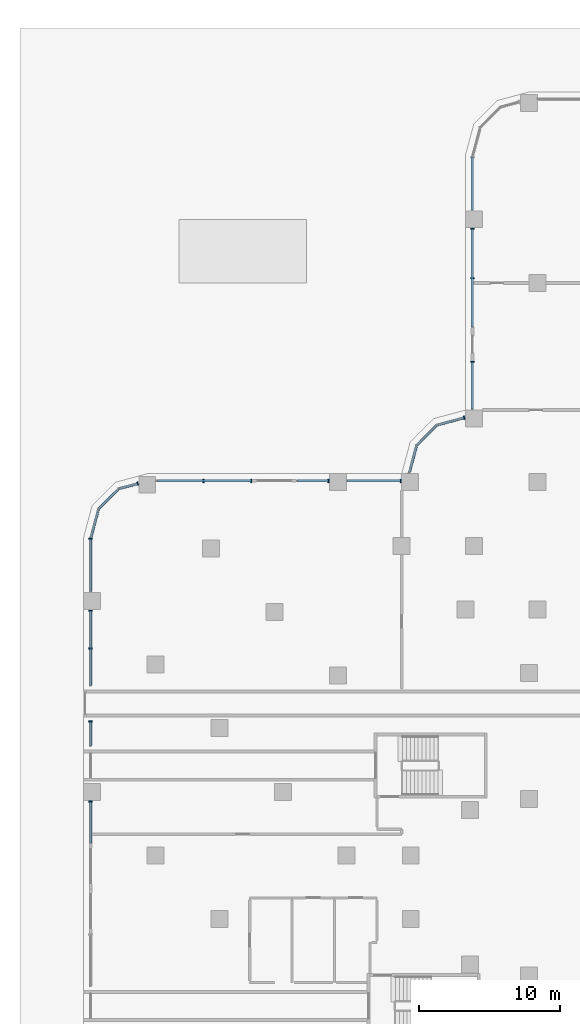
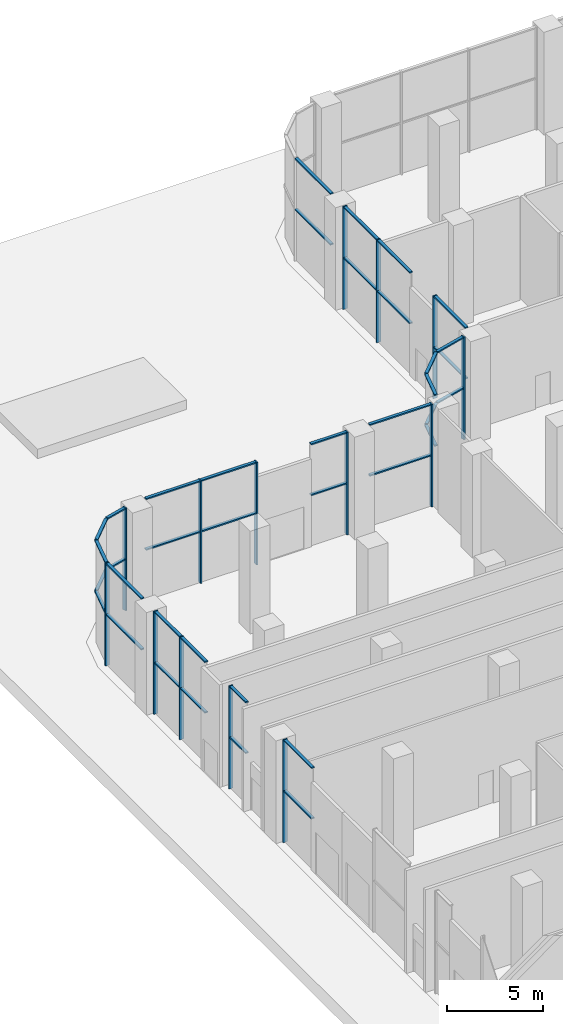
# One storey, part 7 of 34: 46 members, 9 elements without a shape of their own.
"""IFC4 building model written with IfcOpenShell, lengths in metres."""

from ifc_helpers import new_model, si_unit, direction, origin, place, context, subcontext, project, spatial, polyline, outline, extrude, source, transform, mapped, material, type_object, element, aggregate, save


model = new_model("IFC4")

# Units and contexts
model_context = context("Model", 3, precision=1e-05, world=origin(), true_north=direction((0.0, 1.0)))
body_context = subcontext(model_context, "Body", "Model", "MODEL_VIEW")
ifc_project = project(units=[si_unit("LENGTHUNIT", "METRE"), si_unit("AREAUNIT", "SQUARE_METRE"), si_unit("VOLUMEUNIT", "CUBIC_METRE"), si_unit("PLANEANGLEUNIT", "RADIAN"), si_unit("MASSUNIT", "GRAM", prefix="KILO")], contexts=[model_context])

# Site, building, storey
site_placement = place(None, origin())
site = spatial("IfcSite", under=ifc_project, at=site_placement, CompositionType="ELEMENT")
building_placement = place(site_placement, origin())
building = spatial("IfcBuilding", under=site, at=building_placement, Name="Zarbagh Exchange Tower", CompositionType="ELEMENT")
storey_placement = place(building_placement, origin())
storey = spatial("IfcBuildingStorey", under=building, at=storey_placement, Name="L00", CompositionType="ELEMENT", Elevation=0.0)

# Curtain wall, members
ifc_material_1 = material(Name="Anodised aluminium frame and glazing", Category="aluminium")
curtain_wall_type = type_object("IfcCurtainWallType", Name="CWC Podium garden-wall glazing", PredefinedType="NOTDEFINED", material=ifc_material_1)
curtain_wall_1_placement = place(storey_placement, origin())
curtain_wall_1 = element("IfcCurtainWall", 1, at=curtain_wall_1_placement, inside=storey, type_object=curtain_wall_type, Name="CWC29 curtain wall", PredefinedType="NOTDEFINED")
ifc_material_2 = material(Name="Anodised aluminium frame", Category="aluminium")
member_type_1 = type_object("IfcMemberType", Name="MUC Mullion, anodised aluminium frame", PredefinedType="MULLION", material=ifc_material_2)
shared_shape_1 = source(origin(), body_context, "Body", "SweptSolid", [
    extrude(outline(polyline([(0.0, -0.125), (0.080078125, -0.125), (0.080078125, 0.125), (0.0, 0.125), (0.0, -0.125)])), origin(), (0.0, 0.0, 1.0), 6.550048828125),
])
placement = place(storey_placement, origin())
member_1 = element("IfcMember", 2, at=placement, type_object=member_type_1, Name="CWC29 mullion 2.1", PredefinedType="MULLION", context=body_context, shape_type="MappedRepresentation", body=[
    mapped(shared_shape_1, transform((-28.75, 46.60986328125, 0.0), x_axis=(0.0, -1.0, 0.0), y_axis=(1.0, 0.0, 0.0), z_axis=(0.0, 0.0, 1.0))),
])
member_2 = element("IfcMember", 3, at=placement, type_object=member_type_1, Name="CWC29 mullion 2.2", PredefinedType="MULLION", context=body_context, shape_type="MappedRepresentation", body=[
    mapped(shared_shape_1, transform((-28.75, 43.10498046875, 0.0), x_axis=(0.0, -1.0, 0.0), y_axis=(1.0, 0.0, 0.0), z_axis=(0.0, 0.0, 1.0))),
])
member_3 = element("IfcMember", 4, at=placement, type_object=member_type_1, Name="CWC29 mullion 3.1", PredefinedType="MULLION", context=body_context, shape_type="MappedRepresentation", body=[
    mapped(shared_shape_1, transform((-28.75, 37.199951171875, 0.0), x_axis=(0.0, -1.0, 0.0), y_axis=(1.0, 0.0, 0.0), z_axis=(0.0, 0.0, 1.0))),
])

# Curtain wall, member
curtain_wall_2_placement = place(storey_placement, origin())
curtain_wall_2 = element("IfcCurtainWall", 5, at=curtain_wall_2_placement, inside=storey, type_object=curtain_wall_type, Name="CWC30 curtain wall", PredefinedType="NOTDEFINED")
member_4 = element("IfcMember", 6, at=placement, type_object=member_type_1, Name="CWC30 mullion 1.1", PredefinedType="MULLION", context=body_context, shape_type="MappedRepresentation", body=[
    mapped(shared_shape_1, transform((-29.2900390625, 33.2216796875, 0.0), x_axis=(-0.965924289636, -0.258824779902, 0.0), y_axis=(0.258824779902, -0.965924289636, 0.0), z_axis=(0.0, 0.0, 1.0))),
])

# Curtain wall, members
curtain_wall_3_placement = place(storey_placement, origin())
curtain_wall_3 = element("IfcCurtainWall", 7, at=curtain_wall_3_placement, inside=storey, type_object=curtain_wall_type, Name="CWC33 curtain wall", PredefinedType="NOTDEFINED")
member_5 = element("IfcMember", 8, at=placement, type_object=member_type_1, Name="CWC33 mullion 1.1", PredefinedType="MULLION", context=body_context, shape_type="MappedRepresentation", body=[
    mapped(shared_shape_1, transform((-33.7900390625, 28.75, 0.0), x_axis=(-1.0, 0.0, 0.0), y_axis=(0.0, -1.0, 0.0), z_axis=(0.0, 0.0, 1.0))),
])
member_6 = element("IfcMember", 9, at=placement, type_object=member_type_1, Name="CWC33 mullion 2.1", PredefinedType="MULLION", context=body_context, shape_type="MappedRepresentation", body=[
    mapped(shared_shape_1, transform((-38.89013671875, 28.75, 0.0), x_axis=(-1.0, 0.0, 0.0), y_axis=(0.0, -1.0, 0.0), z_axis=(0.0, 0.0, 1.0))),
])
member_7 = element("IfcMember", 10, at=placement, type_object=member_type_1, Name="CWC33 mullion 3.1", PredefinedType="MULLION", context=body_context, shape_type="MappedRepresentation", body=[
    mapped(shared_shape_1, transform((-44.35009765625, 28.75, 0.0), x_axis=(-1.0, 0.0, 0.0), y_axis=(0.0, -1.0, 0.0), z_axis=(0.0, 0.0, 1.0))),
])
member_8 = element("IfcMember", 11, at=placement, type_object=member_type_1, Name="CWC33 mullion 3.2", PredefinedType="MULLION", context=body_context, shape_type="MappedRepresentation", body=[
    mapped(shared_shape_1, transform((-47.72998046875, 28.75, 0.0), x_axis=(-1.0, 0.0, 0.0), y_axis=(0.0, -1.0, 0.0), z_axis=(0.0, 0.0, 1.0))),
])

# Curtain wall, member
curtain_wall_4_placement = place(storey_placement, origin())
curtain_wall_4 = element("IfcCurtainWall", 12, at=curtain_wall_4_placement, inside=storey, type_object=curtain_wall_type, Name="CWC34 curtain wall", PredefinedType="NOTDEFINED")
member_9 = element("IfcMember", 13, at=placement, type_object=member_type_1, Name="CWC34 mullion 1.1", PredefinedType="MULLION", context=body_context, shape_type="MappedRepresentation", body=[
    mapped(shared_shape_1, transform((-52.389892578125, 28.560791015625, 0.0), x_axis=(-0.965924289636, -0.258824779902, 0.0), y_axis=(0.258824779902, -0.965924289636, 0.0), z_axis=(0.0, 0.0, 1.0))),
])

# Curtain wall, members
curtain_wall_5_placement = place(storey_placement, origin())
curtain_wall_5 = element("IfcCurtainWall", 14, at=curtain_wall_5_placement, inside=storey, type_object=curtain_wall_type, Name="CWC37 curtain wall", PredefinedType="NOTDEFINED")
member_10 = element("IfcMember", 15, at=placement, type_object=member_type_1, Name="CWC37 mullion 1.1", PredefinedType="MULLION", context=body_context, shape_type="MappedRepresentation", body=[
    mapped(shared_shape_1, transform((-55.75, 24.68408203125, 0.0), x_axis=(0.0, -1.0, 0.0), y_axis=(1.0, 0.0, 0.0), z_axis=(0.0, 0.0, 1.0))),
])
member_11 = element("IfcMember", 16, at=placement, type_object=member_type_1, Name="CWC37 mullion 2.1", PredefinedType="MULLION", context=body_context, shape_type="MappedRepresentation", body=[
    mapped(shared_shape_1, transform((-55.75, 19.60986328125, 0.0), x_axis=(0.0, -1.0, 0.0), y_axis=(1.0, 0.0, 0.0), z_axis=(0.0, 0.0, 1.0))),
])
member_12 = element("IfcMember", 17, at=placement, type_object=member_type_1, Name="CWC37 mullion 2.2", PredefinedType="MULLION", context=body_context, shape_type="MappedRepresentation", body=[
    mapped(shared_shape_1, transform((-55.75, 16.925048828125, 0.0), x_axis=(0.0, -1.0, 0.0), y_axis=(1.0, 0.0, 0.0), z_axis=(0.0, 0.0, 1.0))),
])
member_13 = element("IfcMember", 18, at=placement, type_object=member_type_1, Name="CWC37 mullion 3.1", PredefinedType="MULLION", context=body_context, shape_type="MappedRepresentation", body=[
    mapped(shared_shape_1, transform((-55.75, 11.760009765625, 0.0), x_axis=(0.0, -1.0, 0.0), y_axis=(1.0, 0.0, 0.0), z_axis=(0.0, 0.0, 1.0))),
])
member_14 = element("IfcMember", 19, at=placement, type_object=member_type_1, Name="CWC37 mullion 4.1", PredefinedType="MULLION", context=body_context, shape_type="MappedRepresentation", body=[
    mapped(shared_shape_1, transform((-55.75, 6.10986328125, 0.0), x_axis=(0.0, -1.0, 0.0), y_axis=(1.0, 0.0, 0.0), z_axis=(0.0, 0.0, 1.0))),
])

# Member
member_type_2 = type_object("IfcMemberType", Name="TRC Transom, anodised aluminium frame", PredefinedType="USERDEFINED", material=ifc_material_2)
shared_shape_2 = source(origin(), body_context, "Body", "SweptSolid", [
    extrude(outline(polyline([(-0.080078125, -0.090087890625), (0.0, -0.090087890625), (0.0, 0.090087890625), (-0.080078125, 0.090087890625), (-0.080078125, -0.090087890625)])), origin(), (0.0, 0.0, 1.0), 3.714111328125),
])
member_15 = element("IfcMember", 20, at=placement, type_object=member_type_2, Name="CWC29 transom 1.1", ObjectType="TRANSOM", PredefinedType="USERDEFINED", context=body_context, shape_type="MappedRepresentation", body=[
    mapped(shared_shape_2, transform((-28.75, 51.644287109375, 6.550048828125), x_axis=(0.0, 0.0, 1.0), y_axis=(-1.0, 0.0, 0.0), z_axis=(0.0, -1.0, 0.0))),
])

member_16 = element("IfcMember", 21, at=placement, type_object=member_type_2, Name="CWC37 transom 1.1", ObjectType="TRANSOM", PredefinedType="USERDEFINED", context=body_context, shape_type="MappedRepresentation", body=[
    mapped(shared_shape_2, transform((-55.75, 24.644287109375, 6.550048828125), x_axis=(0.0, 0.0, 1.0), y_axis=(-1.0, 0.0, 0.0), z_axis=(0.0, -1.0, 0.0))),
])

shared_shape_3 = source(origin(), body_context, "Body", "SweptSolid", [
    extrude(outline(polyline([(-0.0400390625, -0.090087890625), (0.0400390625, -0.090087890625), (0.0400390625, 0.090087890625), (-0.0400390625, 0.090087890625), (-0.0400390625, -0.090087890625)])), origin(), (0.0, 0.0, 1.0), 3.714111328125),
])
member_17 = element("IfcMember", 22, at=placement, type_object=member_type_2, Name="CWC29 mid transom 1", ObjectType="TRANSOM", PredefinedType="USERDEFINED", context=body_context, shape_type="MappedRepresentation", body=[
    mapped(shared_shape_3, transform((-28.75, 51.644287109375, 3.27490234375), x_axis=(0.0, 0.0, 1.0), y_axis=(-1.0, 0.0, 0.0), z_axis=(0.0, -1.0, 0.0))),
])

member_18 = element("IfcMember", 23, at=placement, type_object=member_type_2, Name="CWC37 mid transom 1", ObjectType="TRANSOM", PredefinedType="USERDEFINED", context=body_context, shape_type="MappedRepresentation", body=[
    mapped(shared_shape_3, transform((-55.75, 24.644287109375, 3.27490234375), x_axis=(0.0, 0.0, 1.0), y_axis=(-1.0, 0.0, 0.0), z_axis=(0.0, -1.0, 0.0))),
])

# Curtain wall, members
curtain_wall_6_placement = place(storey_placement, origin())
curtain_wall_6 = element("IfcCurtainWall", 24, at=curtain_wall_6_placement, inside=storey, type_object=curtain_wall_type, Name="CWC36 curtain wall", PredefinedType="NOTDEFINED")
shared_shape_4 = source(origin(), body_context, "Body", "SweptSolid", [
    extrude(outline(polyline([(-0.080078125, -0.090087890625), (0.0, -0.090087890625), (0.0, 0.090087890625), (-0.080078125, 0.090087890625), (-0.080078125, -0.090087890625)])), origin(), (0.0, 0.0, 1.0), 2.049560546875),
])
member_19 = element("IfcMember", 25, at=placement, type_object=member_type_2, Name="CWC36 transom 1.1", ObjectType="TRANSOM", PredefinedType="USERDEFINED", context=body_context, shape_type="MappedRepresentation", body=[
    mapped(shared_shape_4, transform((-55.209228515625, 26.70263671875, 6.550048828125), x_axis=(0.0, 0.0, 1.0), y_axis=(-0.965924289636, 0.258824779902, 0.0), z_axis=(-0.258824779902, -0.965924289636, 0.0))),
])
shared_shape_5 = source(origin(), body_context, "Body", "SweptSolid", [
    extrude(outline(polyline([(-0.0400390625, -0.090087890625), (0.0400390625, -0.090087890625), (0.0400390625, 0.090087890625), (-0.0400390625, 0.090087890625), (-0.0400390625, -0.090087890625)])), origin(), (0.0, 0.0, 1.0), 2.049560546875),
])
member_20 = element("IfcMember", 26, at=placement, type_object=member_type_2, Name="CWC36 mid transom 1", ObjectType="TRANSOM", PredefinedType="USERDEFINED", context=body_context, shape_type="MappedRepresentation", body=[
    mapped(shared_shape_5, transform((-55.209228515625, 26.70263671875, 3.27490234375), x_axis=(0.0, 0.0, 1.0), y_axis=(-0.965924289636, 0.258824779902, 0.0), z_axis=(-0.258824779902, -0.965924289636, 0.0))),
])
aggregate(curtain_wall_6, [member_19, member_20])

# Curtain wall, member
curtain_wall_7_placement = place(storey_placement, origin())
curtain_wall_7 = element("IfcCurtainWall", 27, at=curtain_wall_7_placement, inside=storey, type_object=curtain_wall_type, Name="CWC31 curtain wall", PredefinedType="NOTDEFINED")
shared_shape_6 = source(origin(), body_context, "Body", "SweptSolid", [
    extrude(outline(polyline([(-0.080078125, -0.090087890625), (0.0, -0.090087890625), (0.0, 0.090087890625), (-0.080078125, 0.090087890625), (-0.080078125, -0.090087890625)])), origin(), (0.0, 0.0, 1.0), 1.9814453125),
])
member_21 = element("IfcMember", 28, at=placement, type_object=member_type_2, Name="CWC31 transom 1.1", ObjectType="TRANSOM", PredefinedType="USERDEFINED", context=body_context, shape_type="MappedRepresentation", body=[
    mapped(shared_shape_6, transform((-31.26953125, 32.67041015625, 6.550048828125), x_axis=(0.0, 0.0, 1.0), y_axis=(-0.707106781187, 0.707106781187, 0.0), z_axis=(-0.707106781187, -0.707106781187, 0.0))),
])

curtain_wall_8_placement = place(storey_placement, origin())
curtain_wall_8 = element("IfcCurtainWall", 29, at=curtain_wall_8_placement, inside=storey, type_object=curtain_wall_type, Name="CWC35 curtain wall", PredefinedType="NOTDEFINED")
member_22 = element("IfcMember", 30, at=placement, type_object=member_type_2, Name="CWC35 transom 1.1", ObjectType="TRANSOM", PredefinedType="USERDEFINED", context=body_context, shape_type="MappedRepresentation", body=[
    mapped(shared_shape_6, transform((-53.76953125, 28.17041015625, 6.550048828125), x_axis=(0.0, 0.0, 1.0), y_axis=(-0.707106781187, 0.707106781187, 0.0), z_axis=(-0.707106781187, -0.707106781187, 0.0))),
])

# Member
shared_shape_7 = source(origin(), body_context, "Body", "SweptSolid", [
    extrude(outline(polyline([(-0.0400390625, -0.090087890625), (0.0400390625, -0.090087890625), (0.0400390625, 0.090087890625), (-0.0400390625, 0.090087890625), (-0.0400390625, -0.090087890625)])), origin(), (0.0, 0.0, 1.0), 1.9814453125),
])
member_23 = element("IfcMember", 31, at=placement, type_object=member_type_2, Name="CWC31 mid transom 1", ObjectType="TRANSOM", PredefinedType="USERDEFINED", context=body_context, shape_type="MappedRepresentation", body=[
    mapped(shared_shape_7, transform((-31.26953125, 32.67041015625, 3.27490234375), x_axis=(0.0, 0.0, 1.0), y_axis=(-0.707106781187, 0.707106781187, 0.0), z_axis=(-0.707106781187, -0.707106781187, 0.0))),
])

aggregate(curtain_wall_7, [member_21, member_23])

member_24 = element("IfcMember", 32, at=placement, type_object=member_type_2, Name="CWC35 mid transom 1", ObjectType="TRANSOM", PredefinedType="USERDEFINED", context=body_context, shape_type="MappedRepresentation", body=[
    mapped(shared_shape_7, transform((-53.76953125, 28.17041015625, 3.27490234375), x_axis=(0.0, 0.0, 1.0), y_axis=(-0.707106781187, 0.707106781187, 0.0), z_axis=(-0.707106781187, -0.707106781187, 0.0))),
])

aggregate(curtain_wall_8, [member_22, member_24])

shared_shape_8 = source(origin(), body_context, "Body", "SweptSolid", [
    extrude(outline(polyline([(-0.080078125, -0.090087890625), (0.0, -0.090087890625), (0.0, 0.090087890625), (-0.080078125, 0.090087890625), (-0.080078125, -0.090087890625)])), origin(), (0.0, 0.0, 1.0), 1.31884765625),
])
member_25 = element("IfcMember", 33, at=placement, type_object=member_type_2, Name="CWC34 transom 1.1", ObjectType="TRANSOM", PredefinedType="USERDEFINED", context=body_context, shape_type="MappedRepresentation", body=[
    mapped(shared_shape_8, transform((-52.4287109375, 28.550537109375, 6.550048828125), x_axis=(0.0, 0.0, 1.0), y_axis=(-0.258824779902, 0.965924289636, 0.0), z_axis=(-0.965924289636, -0.258824779902, 0.0))),
])

shared_shape_9 = source(origin(), body_context, "Body", "SweptSolid", [
    extrude(outline(polyline([(-0.0400390625, -0.090087890625), (0.0400390625, -0.090087890625), (0.0400390625, 0.090087890625), (-0.0400390625, 0.090087890625), (-0.0400390625, -0.090087890625)])), origin(), (0.0, 0.0, 1.0), 1.31884765625),
])
member_26 = element("IfcMember", 34, at=placement, type_object=member_type_2, Name="CWC34 mid transom 1", ObjectType="TRANSOM", PredefinedType="USERDEFINED", context=body_context, shape_type="MappedRepresentation", body=[
    mapped(shared_shape_9, transform((-52.4287109375, 28.550537109375, 3.27490234375), x_axis=(0.0, 0.0, 1.0), y_axis=(-0.258824779902, 0.965924289636, 0.0), z_axis=(-0.965924289636, -0.258824779902, 0.0))),
])

aggregate(curtain_wall_4, [member_9, member_25, member_26])

shared_shape_10 = source(origin(), body_context, "Body", "SweptSolid", [
    extrude(outline(polyline([(-0.080078125, -0.090087890625), (0.0, -0.090087890625), (0.0, 0.090087890625), (-0.080078125, 0.090087890625), (-0.080078125, -0.090087890625)])), origin(), (0.0, 0.0, 1.0), 3.739990234375),
])
member_27 = element("IfcMember", 35, at=placement, type_object=member_type_2, Name="CWC33 transom 1.1", ObjectType="TRANSOM", PredefinedType="USERDEFINED", context=body_context, shape_type="MappedRepresentation", body=[
    mapped(shared_shape_10, transform((-33.830078125, 28.75, 6.550048828125), x_axis=(0.0, 0.0, 1.0), y_axis=(0.0, 1.0, 0.0), z_axis=(-1.0, 0.0, 0.0))),
])

shared_shape_11 = source(origin(), body_context, "Body", "SweptSolid", [
    extrude(outline(polyline([(-0.0400390625, -0.090087890625), (0.0400390625, -0.090087890625), (0.0400390625, 0.090087890625), (-0.0400390625, 0.090087890625), (-0.0400390625, -0.090087890625)])), origin(), (0.0, 0.0, 1.0), 3.739990234375),
])
member_28 = element("IfcMember", 36, at=placement, type_object=member_type_2, Name="CWC33 mid transom 1", ObjectType="TRANSOM", PredefinedType="USERDEFINED", context=body_context, shape_type="MappedRepresentation", body=[
    mapped(shared_shape_11, transform((-33.830078125, 28.75, 3.27490234375), x_axis=(0.0, 0.0, 1.0), y_axis=(0.0, 1.0, 0.0), z_axis=(-1.0, 0.0, 0.0))),
])

shared_shape_12 = source(origin(), body_context, "Body", "SweptSolid", [
    extrude(outline(polyline([(-0.080078125, -0.090087890625), (0.0, -0.090087890625), (0.0, 0.090087890625), (-0.080078125, 0.090087890625), (-0.080078125, -0.090087890625)])), origin(), (0.0, 0.0, 1.0), 1.93994140625),
])
member_29 = element("IfcMember", 37, at=placement, type_object=member_type_2, Name="CWC30 transom 1.1", ObjectType="TRANSOM", PredefinedType="USERDEFINED", context=body_context, shape_type="MappedRepresentation", body=[
    mapped(shared_shape_12, transform((-29.32861328125, 33.211181640625, 6.550048828125), x_axis=(0.0, 0.0, 1.0), y_axis=(-0.258824779902, 0.965924289636, 0.0), z_axis=(-0.965924289636, -0.258824779902, 0.0))),
])

# Curtain wall, member
curtain_wall_9_placement = place(storey_placement, origin())
curtain_wall_9 = element("IfcCurtainWall", 38, at=curtain_wall_9_placement, inside=storey, type_object=curtain_wall_type, Name="CWC32 curtain wall", PredefinedType="NOTDEFINED")
member_30 = element("IfcMember", 39, at=placement, type_object=member_type_2, Name="CWC32 transom 1.1", ObjectType="TRANSOM", PredefinedType="USERDEFINED", context=body_context, shape_type="MappedRepresentation", body=[
    mapped(shared_shape_12, transform((-32.709228515625, 31.20263671875, 6.550048828125), x_axis=(0.0, 0.0, 1.0), y_axis=(-0.965924289636, 0.258824779902, 0.0), z_axis=(-0.258824779902, -0.965924289636, 0.0))),
])

# Member
shared_shape_13 = source(origin(), body_context, "Body", "SweptSolid", [
    extrude(outline(polyline([(-0.0400390625, -0.090087890625), (0.0400390625, -0.090087890625), (0.0400390625, 0.090087890625), (-0.0400390625, 0.090087890625), (-0.0400390625, -0.090087890625)])), origin(), (0.0, 0.0, 1.0), 1.93994140625),
])
member_31 = element("IfcMember", 40, at=placement, type_object=member_type_2, Name="CWC30 mid transom 1", ObjectType="TRANSOM", PredefinedType="USERDEFINED", context=body_context, shape_type="MappedRepresentation", body=[
    mapped(shared_shape_13, transform((-29.32861328125, 33.211181640625, 3.27490234375), x_axis=(0.0, 0.0, 1.0), y_axis=(-0.258824779902, 0.965924289636, 0.0), z_axis=(-0.965924289636, -0.258824779902, 0.0))),
])

aggregate(curtain_wall_2, [member_4, member_29, member_31])

member_32 = element("IfcMember", 41, at=placement, type_object=member_type_2, Name="CWC32 mid transom 1", ObjectType="TRANSOM", PredefinedType="USERDEFINED", context=body_context, shape_type="MappedRepresentation", body=[
    mapped(shared_shape_13, transform((-32.709228515625, 31.20263671875, 3.27490234375), x_axis=(0.0, 0.0, 1.0), y_axis=(-0.965924289636, 0.258824779902, 0.0), z_axis=(-0.258824779902, -0.965924289636, 0.0))),
])

aggregate(curtain_wall_9, [member_30, member_32])

shared_shape_14 = source(origin(), body_context, "Body", "SweptSolid", [
    extrude(outline(polyline([(-0.080078125, -0.090087890625), (0.0, -0.090087890625), (0.0, 0.090087890625), (-0.080078125, 0.090087890625), (-0.080078125, -0.090087890625)])), origin(), (0.0, 0.0, 1.0), 2.929931640625),
])
member_33 = element("IfcMember", 42, at=placement, type_object=member_type_2, Name="CWC37 transom 4.1", ObjectType="TRANSOM", PredefinedType="USERDEFINED", context=body_context, shape_type="MappedRepresentation", body=[
    mapped(shared_shape_14, transform((-55.75, 6.070068359375, 6.550048828125), x_axis=(0.0, 0.0, 1.0), y_axis=(-1.0, 0.0, 0.0), z_axis=(0.0, -1.0, 0.0))),
])

shared_shape_15 = source(origin(), body_context, "Body", "SweptSolid", [
    extrude(outline(polyline([(-0.0400390625, -0.090087890625), (0.0400390625, -0.090087890625), (0.0400390625, 0.090087890625), (-0.0400390625, 0.090087890625), (-0.0400390625, -0.090087890625)])), origin(), (0.0, 0.0, 1.0), 2.929931640625),
])
member_34 = element("IfcMember", 43, at=placement, type_object=member_type_2, Name="CWC37 mid transom 4", ObjectType="TRANSOM", PredefinedType="USERDEFINED", context=body_context, shape_type="MappedRepresentation", body=[
    mapped(shared_shape_15, transform((-55.75, 6.070068359375, 3.27490234375), x_axis=(0.0, 0.0, 1.0), y_axis=(-1.0, 0.0, 0.0), z_axis=(0.0, -1.0, 0.0))),
])

shared_shape_16 = source(origin(), body_context, "Body", "SweptSolid", [
    extrude(outline(polyline([(-0.080078125, -0.090087890625), (0.0, -0.090087890625), (0.0, 0.090087890625), (-0.080078125, 0.090087890625), (-0.080078125, -0.090087890625)])), origin(), (0.0, 0.0, 1.0), 3.330078125),
])
member_35 = element("IfcMember", 44, at=placement, type_object=member_type_2, Name="CWC29 transom 3.1", ObjectType="TRANSOM", PredefinedType="USERDEFINED", context=body_context, shape_type="MappedRepresentation", body=[
    mapped(shared_shape_16, transform((-28.75, 37.159912109375, 6.550048828125), x_axis=(0.0, 0.0, 1.0), y_axis=(-1.0, 0.0, 0.0), z_axis=(0.0, -1.0, 0.0))),
])

shared_shape_17 = source(origin(), body_context, "Body", "SweptSolid", [
    extrude(outline(polyline([(-0.0400390625, -0.090087890625), (0.0400390625, -0.090087890625), (0.0400390625, 0.090087890625), (-0.0400390625, 0.090087890625), (-0.0400390625, -0.090087890625)])), origin(), (0.0, 0.0, 1.0), 3.330078125),
])
member_36 = element("IfcMember", 45, at=placement, type_object=member_type_2, Name="CWC29 mid transom 3", ObjectType="TRANSOM", PredefinedType="USERDEFINED", context=body_context, shape_type="MappedRepresentation", body=[
    mapped(shared_shape_17, transform((-28.75, 37.159912109375, 3.27490234375), x_axis=(0.0, 0.0, 1.0), y_axis=(-1.0, 0.0, 0.0), z_axis=(0.0, -1.0, 0.0))),
])

shared_shape_18 = source(origin(), body_context, "Body", "SweptSolid", [
    extrude(outline(polyline([(-0.080078125, -0.090087890625), (0.0, -0.090087890625), (0.0, 0.090087890625), (-0.080078125, 0.090087890625), (-0.080078125, -0.090087890625)])), origin(), (0.0, 0.0, 1.0), 6.929931640625),
])
member_37 = element("IfcMember", 46, at=placement, type_object=member_type_2, Name="CWC29 transom 2.1", ObjectType="TRANSOM", PredefinedType="USERDEFINED", context=body_context, shape_type="MappedRepresentation", body=[
    mapped(shared_shape_18, transform((-28.75, 46.570068359375, 6.550048828125), x_axis=(0.0, 0.0, 1.0), y_axis=(-1.0, 0.0, 0.0), z_axis=(0.0, -1.0, 0.0))),
])

shared_shape_19 = source(origin(), body_context, "Body", "SweptSolid", [
    extrude(outline(polyline([(-0.0400390625, -0.090087890625), (0.0400390625, -0.090087890625), (0.0400390625, 0.090087890625), (-0.0400390625, 0.090087890625), (-0.0400390625, -0.090087890625)])), origin(), (0.0, 0.0, 1.0), 6.929931640625),
])
member_38 = element("IfcMember", 47, at=placement, type_object=member_type_2, Name="CWC29 mid transom 2", ObjectType="TRANSOM", PredefinedType="USERDEFINED", context=body_context, shape_type="MappedRepresentation", body=[
    mapped(shared_shape_19, transform((-28.75, 46.570068359375, 3.27490234375), x_axis=(0.0, 0.0, 1.0), y_axis=(-1.0, 0.0, 0.0), z_axis=(0.0, -1.0, 0.0))),
])

aggregate(curtain_wall_1, [member_15, member_17, member_1, member_37, member_38, member_2, member_3, member_35, member_36])

shared_shape_20 = source(origin(), body_context, "Body", "SweptSolid", [
    extrude(outline(polyline([(-0.080078125, -0.090087890625), (0.0, -0.090087890625), (0.0, 0.090087890625), (-0.080078125, 0.090087890625), (-0.080078125, -0.090087890625)])), origin(), (0.0, 0.0, 1.0), 2.179931640625),
])
member_39 = element("IfcMember", 48, at=placement, type_object=member_type_2, Name="CWC33 transom 2.1", ObjectType="TRANSOM", PredefinedType="USERDEFINED", context=body_context, shape_type="MappedRepresentation", body=[
    mapped(shared_shape_20, transform((-38.929931640625, 28.75, 6.550048828125), x_axis=(0.0, 0.0, 1.0), y_axis=(0.0, 1.0, 0.0), z_axis=(-1.0, 0.0, 0.0))),
])

shared_shape_21 = source(origin(), body_context, "Body", "SweptSolid", [
    extrude(outline(polyline([(-0.0400390625, -0.090087890625), (0.0400390625, -0.090087890625), (0.0400390625, 0.090087890625), (-0.0400390625, 0.090087890625), (-0.0400390625, -0.090087890625)])), origin(), (0.0, 0.0, 1.0), 2.179931640625),
])
member_40 = element("IfcMember", 49, at=placement, type_object=member_type_2, Name="CWC33 mid transom 2", ObjectType="TRANSOM", PredefinedType="USERDEFINED", context=body_context, shape_type="MappedRepresentation", body=[
    mapped(shared_shape_21, transform((-38.929931640625, 28.75, 3.27490234375), x_axis=(0.0, 0.0, 1.0), y_axis=(0.0, 1.0, 0.0), z_axis=(-1.0, 0.0, 0.0))),
])

shared_shape_22 = source(origin(), body_context, "Body", "SweptSolid", [
    extrude(outline(polyline([(-0.080078125, -0.090087890625), (0.0, -0.090087890625), (0.0, 0.090087890625), (-0.080078125, 0.090087890625), (-0.080078125, -0.090087890625)])), origin(), (0.0, 0.0, 1.0), 6.679931640625),
])
member_41 = element("IfcMember", 50, at=placement, type_object=member_type_2, Name="CWC33 transom 3.1", ObjectType="TRANSOM", PredefinedType="USERDEFINED", context=body_context, shape_type="MappedRepresentation", body=[
    mapped(shared_shape_22, transform((-44.389892578125, 28.75, 6.550048828125), x_axis=(0.0, 0.0, 1.0), y_axis=(0.0, 1.0, 0.0), z_axis=(-1.0, 0.0, 0.0))),
])

shared_shape_23 = source(origin(), body_context, "Body", "SweptSolid", [
    extrude(outline(polyline([(-0.0400390625, -0.090087890625), (0.0400390625, -0.090087890625), (0.0400390625, 0.090087890625), (-0.0400390625, 0.090087890625), (-0.0400390625, -0.090087890625)])), origin(), (0.0, 0.0, 1.0), 6.679931640625),
])
member_42 = element("IfcMember", 51, at=placement, type_object=member_type_2, Name="CWC33 mid transom 3", ObjectType="TRANSOM", PredefinedType="USERDEFINED", context=body_context, shape_type="MappedRepresentation", body=[
    mapped(shared_shape_23, transform((-44.389892578125, 28.75, 3.27490234375), x_axis=(0.0, 0.0, 1.0), y_axis=(0.0, 1.0, 0.0), z_axis=(-1.0, 0.0, 0.0))),
])

aggregate(curtain_wall_3, [member_5, member_27, member_28, member_6, member_39, member_40, member_7, member_41, member_42, member_8])

shared_shape_24 = source(origin(), body_context, "Body", "SweptSolid", [
    extrude(outline(polyline([(-0.080078125, -0.090087890625), (0.0, -0.090087890625), (0.0, 0.090087890625), (-0.080078125, 0.090087890625), (-0.080078125, -0.090087890625)])), origin(), (0.0, 0.0, 1.0), 5.2900390625),
])
member_43 = element("IfcMember", 52, at=placement, type_object=member_type_2, Name="CWC37 transom 2.1", ObjectType="TRANSOM", PredefinedType="USERDEFINED", context=body_context, shape_type="MappedRepresentation", body=[
    mapped(shared_shape_24, transform((-55.75, 19.570068359375, 6.550048828125), x_axis=(0.0, 0.0, 1.0), y_axis=(-1.0, 0.0, 0.0), z_axis=(0.0, -1.0, 0.0))),
])

shared_shape_25 = source(origin(), body_context, "Body", "SweptSolid", [
    extrude(outline(polyline([(-0.0400390625, -0.090087890625), (0.0400390625, -0.090087890625), (0.0400390625, 0.090087890625), (-0.0400390625, 0.090087890625), (-0.0400390625, -0.090087890625)])), origin(), (0.0, 0.0, 1.0), 5.2900390625),
])
member_44 = element("IfcMember", 53, at=placement, type_object=member_type_2, Name="CWC37 mid transom 2", ObjectType="TRANSOM", PredefinedType="USERDEFINED", context=body_context, shape_type="MappedRepresentation", body=[
    mapped(shared_shape_25, transform((-55.75, 19.570068359375, 3.27490234375), x_axis=(0.0, 0.0, 1.0), y_axis=(-1.0, 0.0, 0.0), z_axis=(0.0, -1.0, 0.0))),
])

shared_shape_26 = source(origin(), body_context, "Body", "SweptSolid", [
    extrude(outline(polyline([(-0.080078125, -0.090087890625), (0.0, -0.090087890625), (0.0, 0.090087890625), (-0.080078125, 0.090087890625), (-0.080078125, -0.090087890625)])), origin(), (0.0, 0.0, 1.0), 1.68994140625),
])
member_45 = element("IfcMember", 54, at=placement, type_object=member_type_2, Name="CWC37 transom 3.1", ObjectType="TRANSOM", PredefinedType="USERDEFINED", context=body_context, shape_type="MappedRepresentation", body=[
    mapped(shared_shape_26, transform((-55.75, 11.719970703125, 6.550048828125), x_axis=(0.0, 0.0, 1.0), y_axis=(-1.0, 0.0, 0.0), z_axis=(0.0, -1.0, 0.0))),
])

shared_shape_27 = source(origin(), body_context, "Body", "SweptSolid", [
    extrude(outline(polyline([(-0.0400390625, -0.090087890625), (0.0400390625, -0.090087890625), (0.0400390625, 0.090087890625), (-0.0400390625, 0.090087890625), (-0.0400390625, -0.090087890625)])), origin(), (0.0, 0.0, 1.0), 1.68994140625),
])
member_46 = element("IfcMember", 55, at=placement, type_object=member_type_2, Name="CWC37 mid transom 3", ObjectType="TRANSOM", PredefinedType="USERDEFINED", context=body_context, shape_type="MappedRepresentation", body=[
    mapped(shared_shape_27, transform((-55.75, 11.719970703125, 3.27490234375), x_axis=(0.0, 0.0, 1.0), y_axis=(-1.0, 0.0, 0.0), z_axis=(0.0, -1.0, 0.0))),
])

aggregate(curtain_wall_5, [member_10, member_16, member_18, member_11, member_43, member_44, member_12, member_13, member_45, member_46, member_14, member_33, member_34])

save(model, "model.ifc")
